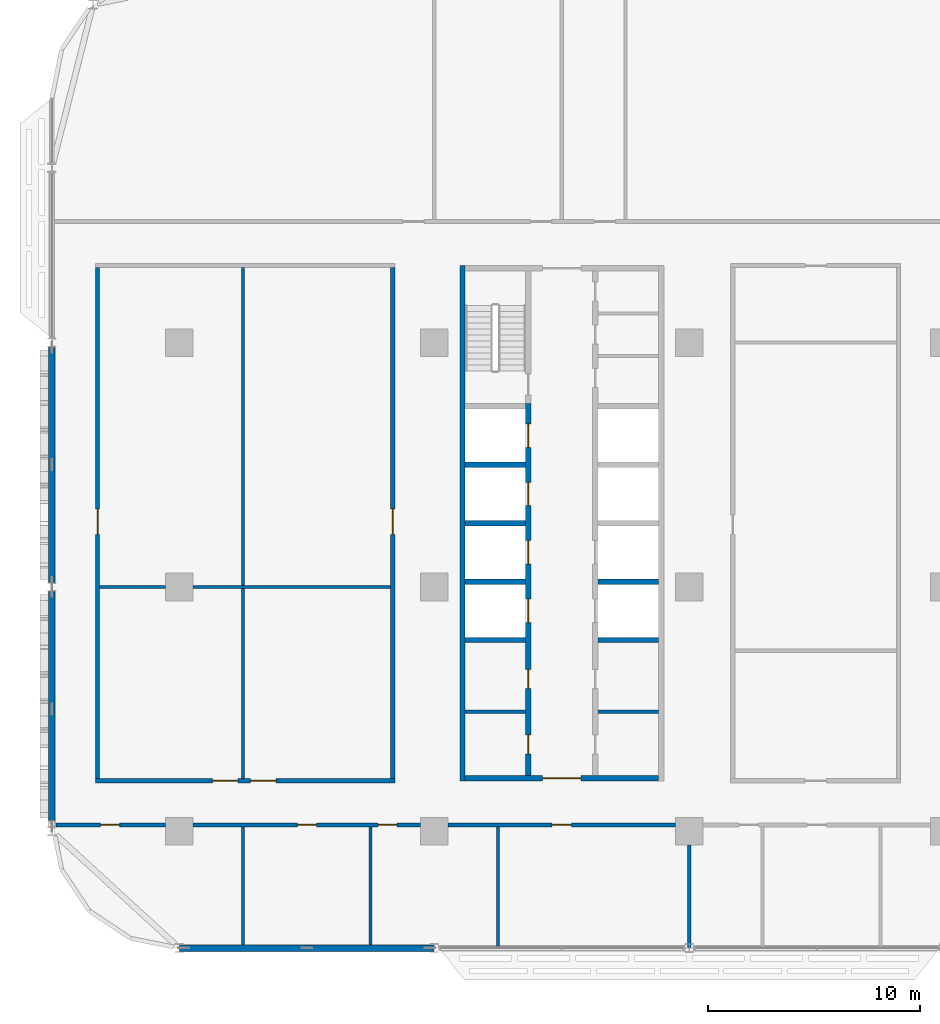
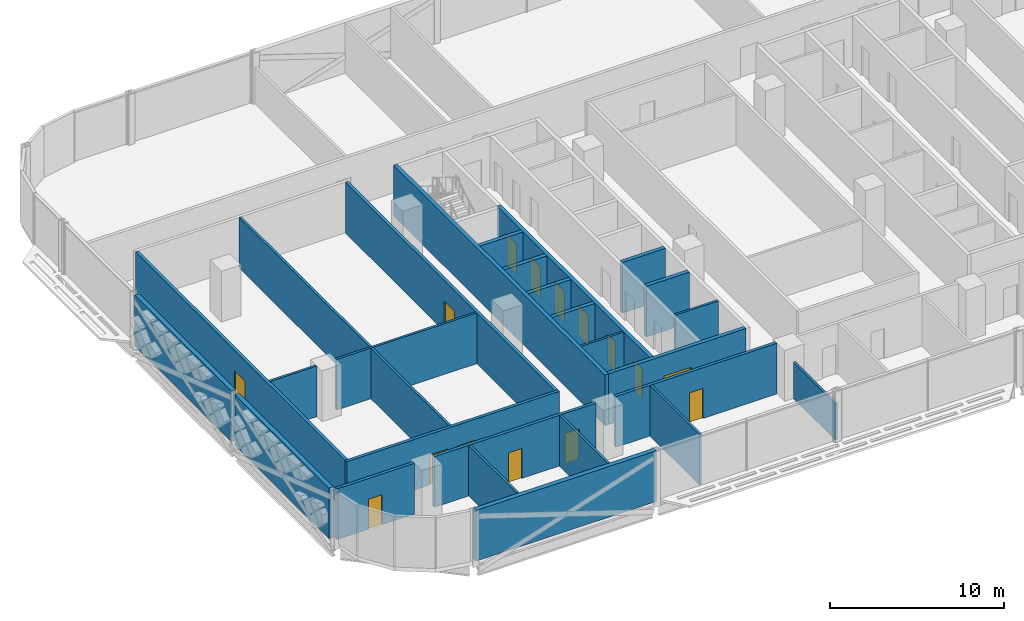
# One storey, part 13 of 29: 27 walls, 15 doors, 15 openings.
"""IFC4 building model written with IfcOpenShell, lengths in metres."""

from ifc_helpers import new_model, si_unit, direction, frame, frame_2d, origin, place, context, subcontext, project, spatial, rectangle, extrude, material, layer, layer_set, type_object, element, fill, save


model = new_model("IFC4")

# Units and contexts
model_context = context("Model", 3, precision=1e-05, world=origin(), true_north=direction((0.0, 1.0)))
body_context = subcontext(model_context, "Body", "Model", "MODEL_VIEW")
ifc_project = project(units=[si_unit("LENGTHUNIT", "METRE"), si_unit("AREAUNIT", "SQUARE_METRE"), si_unit("VOLUMEUNIT", "CUBIC_METRE"), si_unit("PLANEANGLEUNIT", "RADIAN"), si_unit("MASSUNIT", "GRAM", prefix="KILO")], contexts=[model_context])

# Site, building, storey
site_placement = place(None, origin())
site = spatial("IfcSite", under=ifc_project, at=site_placement, CompositionType="ELEMENT")
building_placement = place(site_placement, origin())
building = spatial("IfcBuilding", under=site, at=building_placement, Name="Mahtab Terrace Research Tower", CompositionType="ELEMENT")
storey_placement = place(building_placement, frame((0.0, 0.0, 150.699951171875)))
storey = spatial("IfcBuildingStorey", under=building, at=storey_placement, Name="L35", CompositionType="ELEMENT", Elevation=150.699951171875)

# Walls
ifc_material_1 = material(Name="Gypsum board partition")
ifc_layer_1 = layer(ifc_material_1, 0.14990234375)
ifc_layer_set_1 = layer_set([ifc_layer_1], Name="Core partition 150")
wall_type_1 = type_object("IfcWallType", Name="Core partition 150", PredefinedType="PARTITIONING", material=ifc_layer_set_1)
for number, where, z_axis, x_axis, name in (
    (1, (-28.550048828125, -5.875, 0.0), (0.0, 0.0, 1.0), (1.0, 0.0, 0.0), "Core wall A pWS-888"),
    (2, (-22.300048828125, -5.875, 0.0), (0.0, 0.0, 1.0), (1.0, 0.0, 0.0), "Core wall A pES-888"),
):
    element("IfcWall", number, at=place(storey_placement, frame(where, z_axis=z_axis, x_axis=x_axis)), inside=storey, type_object=wall_type_1, Name=name, PredefinedType="PARTITIONING", context=body_context, shape_type="SweptSolid", body=[
        extrude(rectangle(XDim=2.85009765625, YDim=0.14990234375, at=frame_2d((1.425048828125, 0.0))), origin(), (0.0, 0.0, 1.0), 3.550048828125),
    ])
ifc_material_2 = material(Name="Concrete C70/85", Category="concrete")
ifc_layer_2 = layer(ifc_material_2, 0.25)
ifc_layer_set_2 = layer_set([ifc_layer_2], Name="Core wall 250")
wall_type_2 = type_object("IfcWallType", Name="Core wall 250", PredefinedType="SOLIDWALL", material=ifc_layer_set_2)
wall_1_placement = place(storey_placement, frame((-28.675048828125, 15.125, 0.0), z_axis=(0.0, 0.0, 1.0), x_axis=(0.0, -1.0, 0.0)))
element("IfcWall", 3, at=wall_1_placement, inside=storey, type_object=wall_type_2, Name="Core wall A outerW", PredefinedType="SOLIDWALL", context=body_context, shape_type="SweptSolid", body=[
    extrude(rectangle(XDim=24.25, YDim=0.25, at=frame_2d((12.125, 0.0))), origin(), (0.0, 0.0, 1.0), 3.550048828125),
])

# Wall, opening, door
wall_2_placement = place(storey_placement, frame((-19.449951171875, -9.0, 0.0), z_axis=(0.0, 0.0, 1.0), x_axis=(-1.0, 0.0, 0.0)))
wall_2 = element("IfcWall", 4, at=wall_2_placement, inside=storey, type_object=wall_type_2, Name="Core wall A endS", PredefinedType="SOLIDWALL", context=body_context, shape_type="SweptSolid", body=[
    extrude(rectangle(XDim=9.10009765625, YDim=0.25, at=frame_2d((4.550048828125, 0.0))), origin(), (0.0, 0.0, 1.0), 3.550048828125),
])
opening_1_placement = place(wall_2_placement, frame((3.64990234375, 0.0, 0.0)))
opening_1 = element("IfcOpeningElement", 5, at=opening_1_placement, cuts=wall_2, Name="Opening A-S1", PredefinedType="OPENING", context=body_context, shape_type="SweptSolid", body=[
    extrude(rectangle(XDim=1.800048828125, YDim=2.10009765625, at=frame_2d((0.89990234375, 1.050048828125))), frame((0.0, 0.135009765625, 0.0), z_axis=(0.0, -1.0, 0.0), x_axis=(1.0, 0.0, 0.0)), (0.0, 0.0, 1.0), 0.27001953125),
])
ifc_material_3 = material(Name="Steel fire door", Category="steel")
door_type_1 = type_object("IfcDoorType", Name="Lobby double door 1800x2100 1 HR", OperationType="DOUBLE_DOOR_SINGLE_SWING", PredefinedType="DOOR", material=ifc_material_3)
door_1_placement = place(opening_1_placement, origin())
door_1 = element("IfcDoor", 6, at=door_1_placement, inside=storey, type_object=door_type_1, Name="Core entrance door A S", OperationType="DOUBLE_DOOR_SINGLE_SWING", OverallHeight=2.10009765625, OverallWidth=1.800048828125, PredefinedType="DOOR", context=body_context, shape_type="SweptSolid", body=[
    extrude(rectangle(XDim=1.800048828125, YDim=2.10009765625, at=frame_2d((0.89990234375, 1.050048828125))), frame((0.0, 0.02490234375, 0.0), z_axis=(0.0, -1.0, 0.0), x_axis=(1.0, 0.0, 0.0)), (0.0, 0.0, 1.0), 0.050048828125),
])
fill(opening_1, door_1)

# Wall, openings, doors
wall_3_placement = place(storey_placement, frame((-25.574951171875, -8.875, 0.0), z_axis=(0.0, 0.0, 1.0), x_axis=(0.0, 1.0, 0.0)))
wall_3 = element("IfcWall", 7, at=wall_3_placement, inside=storey, type_object=wall_type_2, Name="Core wall A innerWSL", PredefinedType="SOLIDWALL", context=body_context, shape_type="SweptSolid", body=[
    extrude(rectangle(XDim=17.5, YDim=0.25, at=frame_2d((8.75, 0.0))), origin(), (0.0, 0.0, 1.0), 3.550048828125),
])
opening_2_placement = place(wall_3_placement, frame((7.199951171875, 0.0, 0.0)))
opening_2 = element("IfcOpeningElement", 8, at=opening_2_placement, cuts=wall_3, Name="Opening LD01-L35", PredefinedType="OPENING", context=body_context, shape_type="SweptSolid", body=[
    extrude(rectangle(XDim=1.10009765625, YDim=2.10009765625, at=frame_2d((0.550048828125, 1.050048828125))), frame((0.0, 0.135009765625, 0.0), z_axis=(0.0, -1.0, 0.0), x_axis=(1.0, 0.0, 0.0)), (0.0, 0.0, 1.0), 0.27001953125),
])
opening_3_placement = place(wall_3_placement, frame((9.949951171875, 0.0, 0.0)))
opening_3 = element("IfcOpeningElement", 9, at=opening_3_placement, cuts=wall_3, Name="Opening LD02-L35", PredefinedType="OPENING", context=body_context, shape_type="SweptSolid", body=[
    extrude(rectangle(XDim=1.10009765625, YDim=2.10009765625, at=frame_2d((0.550048828125, 1.050048828125))), frame((0.0, 0.135009765625, 0.0), z_axis=(0.0, -1.0, 0.0), x_axis=(1.0, 0.0, 0.0)), (0.0, 0.0, 1.0), 0.27001953125),
])
opening_4_placement = place(wall_3_placement, frame((12.699951171875, 0.0, 0.0)))
opening_4 = element("IfcOpeningElement", 10, at=opening_4_placement, cuts=wall_3, Name="Opening LD03-L35", PredefinedType="OPENING", context=body_context, shape_type="SweptSolid", body=[
    extrude(rectangle(XDim=1.10009765625, YDim=2.10009765625, at=frame_2d((0.550048828125, 1.050048828125))), frame((0.0, 0.135009765625, 0.0), z_axis=(0.0, -1.0, 0.0), x_axis=(1.0, 0.0, 0.0)), (0.0, 0.0, 1.0), 0.27001953125),
])
opening_5_placement = place(wall_3_placement, frame((15.449951171875, 0.0, 0.0)))
opening_5 = element("IfcOpeningElement", 11, at=opening_5_placement, cuts=wall_3, Name="Opening LD04-L35", PredefinedType="OPENING", context=body_context, shape_type="SweptSolid", body=[
    extrude(rectangle(XDim=1.10009765625, YDim=2.10009765625, at=frame_2d((0.550048828125, 1.050048828125))), frame((0.0, 0.135009765625, 0.0), z_axis=(0.0, -1.0, 0.0), x_axis=(1.0, 0.0, 0.0)), (0.0, 0.0, 1.0), 0.27001953125),
])
opening_6_placement = place(wall_3_placement, frame((1.012451171875, 0.0, 0.0)))
opening_6 = element("IfcOpeningElement", 12, at=opening_6_placement, cuts=wall_3, Name="Opening A-R1", PredefinedType="OPENING", context=body_context, shape_type="SweptSolid", body=[
    extrude(rectangle(XDim=0.89990234375, YDim=2.10009765625, at=frame_2d((0.449951171875, 1.050048828125))), frame((0.0, 0.135009765625, 0.0), z_axis=(0.0, -1.0, 0.0), x_axis=(1.0, 0.0, 0.0)), (0.0, 0.0, 1.0), 0.27001953125),
])
opening_7_placement = place(wall_3_placement, frame((4.08740234375, 0.0, 0.0)))
opening_7 = element("IfcOpeningElement", 13, at=opening_7_placement, cuts=wall_3, Name="Opening A-R2", PredefinedType="OPENING", context=body_context, shape_type="SweptSolid", body=[
    extrude(rectangle(XDim=0.89990234375, YDim=2.10009765625, at=frame_2d((0.449951171875, 1.050048828125))), frame((0.0, 0.135009765625, 0.0), z_axis=(0.0, -1.0, 0.0), x_axis=(1.0, 0.0, 0.0)), (0.0, 0.0, 1.0), 0.27001953125),
])
ifc_material_4 = material(Name="Stainless steel AISI 304", Category="steel")
door_type_2 = type_object("IfcDoorType", Name="Landing door 1100x2100", OperationType="DOUBLE_DOOR_SLIDING", PredefinedType="DOOR", material=ifc_material_4)
door_2_placement = place(opening_2_placement, origin())
door_2 = element("IfcDoor", 14, at=door_2_placement, inside=storey, type_object=door_type_2, Name="Landing door LR1 L35", OperationType="DOUBLE_DOOR_SLIDING", OverallHeight=2.10009765625, OverallWidth=1.10009765625, PredefinedType="DOOR", context=body_context, shape_type="SweptSolid", body=[
    extrude(rectangle(XDim=1.10009765625, YDim=2.10009765625, at=frame_2d((0.550048828125, 1.050048828125))), frame((0.0, 0.02490234375, 0.0), z_axis=(0.0, -1.0, 0.0), x_axis=(1.0, 0.0, 0.0)), (0.0, 0.0, 1.0), 0.050048828125),
])
fill(opening_2, door_2)
door_3_placement = place(opening_3_placement, origin())
door_3 = element("IfcDoor", 15, at=door_3_placement, inside=storey, type_object=door_type_2, Name="Landing door LR2 L35", OperationType="DOUBLE_DOOR_SLIDING", OverallHeight=2.10009765625, OverallWidth=1.10009765625, PredefinedType="DOOR", context=body_context, shape_type="SweptSolid", body=[
    extrude(rectangle(XDim=1.10009765625, YDim=2.10009765625, at=frame_2d((0.550048828125, 1.050048828125))), frame((0.0, 0.02490234375, 0.0), z_axis=(0.0, -1.0, 0.0), x_axis=(1.0, 0.0, 0.0)), (0.0, 0.0, 1.0), 0.050048828125),
])
fill(opening_3, door_3)
door_4_placement = place(opening_4_placement, origin())
door_4 = element("IfcDoor", 16, at=door_4_placement, inside=storey, type_object=door_type_2, Name="Landing door LR3 L35", OperationType="DOUBLE_DOOR_SLIDING", OverallHeight=2.10009765625, OverallWidth=1.10009765625, PredefinedType="DOOR", context=body_context, shape_type="SweptSolid", body=[
    extrude(rectangle(XDim=1.10009765625, YDim=2.10009765625, at=frame_2d((0.550048828125, 1.050048828125))), frame((0.0, 0.02490234375, 0.0), z_axis=(0.0, -1.0, 0.0), x_axis=(1.0, 0.0, 0.0)), (0.0, 0.0, 1.0), 0.050048828125),
])
fill(opening_4, door_4)
door_5_placement = place(opening_5_placement, origin())
door_5 = element("IfcDoor", 17, at=door_5_placement, inside=storey, type_object=door_type_2, Name="Landing door LR4 L35", OperationType="DOUBLE_DOOR_SLIDING", OverallHeight=2.10009765625, OverallWidth=1.10009765625, PredefinedType="DOOR", context=body_context, shape_type="SweptSolid", body=[
    extrude(rectangle(XDim=1.10009765625, YDim=2.10009765625, at=frame_2d((0.550048828125, 1.050048828125))), frame((0.0, 0.02490234375, 0.0), z_axis=(0.0, -1.0, 0.0), x_axis=(1.0, 0.0, 0.0)), (0.0, 0.0, 1.0), 0.050048828125),
])
fill(opening_5, door_5)
door_type_3 = type_object("IfcDoorType", Name="Room door 900x2100 1 HR", OperationType="NOTDEFINED", PredefinedType="DOOR", material=ifc_material_3)
door_6_placement = place(opening_6_placement, origin())
door_6 = element("IfcDoor", 18, at=door_6_placement, inside=storey, type_object=door_type_3, Name="Staff WC door", OperationType="SINGLE_SWING_LEFT", OverallHeight=2.10009765625, OverallWidth=0.89990234375, PredefinedType="DOOR", context=body_context, shape_type="SweptSolid", body=[
    extrude(rectangle(XDim=0.89990234375, YDim=2.10009765625, at=frame_2d((0.449951171875, 1.050048828125))), frame((0.0, 0.02490234375, 0.0), z_axis=(0.0, -1.0, 0.0), x_axis=(1.0, 0.0, 0.0)), (0.0, 0.0, 1.0), 0.050048828125),
])
fill(opening_6, door_6)
door_7_placement = place(opening_7_placement, origin())
door_7 = element("IfcDoor", 19, at=door_7_placement, inside=storey, type_object=door_type_3, Name="Accessible WC door", OperationType="SINGLE_SWING_RIGHT", OverallHeight=2.10009765625, OverallWidth=0.89990234375, PredefinedType="DOOR", context=body_context, shape_type="SweptSolid", body=[
    extrude(rectangle(XDim=0.89990234375, YDim=2.10009765625, at=frame_2d((0.449951171875, 1.050048828125))), frame((0.0, 0.02490234375, 0.0), z_axis=(0.0, -1.0, 0.0), x_axis=(1.0, 0.0, 0.0)), (0.0, 0.0, 1.0), 0.050048828125),
])
fill(opening_7, door_7)

# Walls
for number, where, z_axis, x_axis, name in (
    (20, (-28.550048828125, -2.5, 0.0), (0.0, 0.0, 1.0), (1.0, 0.0, 0.0), "Core wall A divW0"),
    (21, (-28.550048828125, 0.25, 0.0), (0.0, 0.0, 1.0), (1.0, 0.0, 0.0), "Core wall A divW1"),
    (22, (-28.550048828125, 3.0, 0.0), (0.0, 0.0, 1.0), (1.0, 0.0, 0.0), "Core wall A divW2"),
    (23, (-28.550048828125, 5.75, 0.0), (0.0, 0.0, 1.0), (1.0, 0.0, 0.0), "Core wall A divW3"),
    (24, (-22.300048828125, -2.5, 0.0), (0.0, 0.0, 1.0), (1.0, 0.0, 0.0), "Core wall A divE0"),
    (25, (-22.300048828125, 0.25, 0.0), (0.0, 0.0, 1.0), (1.0, 0.0, 0.0), "Core wall A divE1"),
):
    element("IfcWall", number, at=place(storey_placement, frame(where, z_axis=z_axis, x_axis=x_axis)), inside=storey, type_object=wall_type_2, Name=name, PredefinedType="SOLIDWALL", context=body_context, shape_type="SweptSolid", body=[
        extrude(rectangle(XDim=2.85009765625, YDim=0.25, at=frame_2d((1.425048828125, 0.0))), origin(), (0.0, 0.0, 1.0), 3.550048828125),
    ])
ifc_material_5 = material(Name="Black aluminium cladding panel", Category="aluminium")
ifc_layer_3 = layer(ifc_material_5, 0.300048828125)
ifc_layer_set_3 = layer_set([ifc_layer_3], Name="Opaque facade wall 300")
wall_type_3 = type_object("IfcWallType", Name="Opaque facade wall 300", PredefinedType="NOTDEFINED", material=ifc_layer_set_3)
wall_4_placement = place(storey_placement, frame((-48.0, 11.281982421875, 0.0), z_axis=(0.0, 0.0, 1.0), x_axis=(0.0, -1.0, 0.0)))
element("IfcWall", 26, at=wall_4_placement, inside=storey, type_object=wall_type_3, Name="Opaque facade wall L35 W17", PredefinedType="NOTDEFINED", context=body_context, shape_type="SweptSolid", body=[
    extrude(rectangle(XDim=11.06396484375, YDim=0.300048828125, at=frame_2d((5.531982421875, 0.0))), origin(), (0.0, 0.0, 1.0), 3.550048828125),
])
wall_5_placement = place(storey_placement, frame((-48.0, -0.218017578125, 0.0), z_axis=(0.0, 0.0, 1.0), x_axis=(0.0, -1.0, 0.0)))
element("IfcWall", 27, at=wall_5_placement, inside=storey, type_object=wall_type_3, Name="Opaque facade wall L35 W18", PredefinedType="NOTDEFINED", context=body_context, shape_type="SweptSolid", body=[
    extrude(rectangle(XDim=10.781982421875, YDim=0.300048828125, at=frame_2d((5.39111328125, 0.0))), origin(), (0.0, 0.0, 1.0), 3.550048828125),
])
wall_6_placement = place(storey_placement, frame((-41.982177734375, -17.0, 0.0), z_axis=(0.0, 0.0, 1.0), x_axis=(1.0, 0.0, 0.0)))
element("IfcWall", 28, at=wall_6_placement, inside=storey, type_object=wall_type_3, Name="Opaque facade wall L35 S24", PredefinedType="NOTDEFINED", context=body_context, shape_type="SweptSolid", body=[
    extrude(rectangle(XDim=11.96435546875, YDim=0.300048828125, at=frame_2d((5.982177734375, 0.0))), origin(), (0.0, 0.0, 1.0), 3.550048828125),
])

# Wall, opening, door
ifc_material_6 = material(Name="Gypsum board corridor wall on steel studs", Category="steel")
ifc_layer_4 = layer(ifc_material_6, 0.199951171875)
ifc_layer_set_4 = layer_set([ifc_layer_4], Name="WALL CORRIDOR 200")
wall_type_4 = type_object("IfcWallType", Name="WALL CORRIDOR 200", PredefinedType="PARTITIONING", material=ifc_layer_set_4)
wall_7_placement = place(storey_placement, frame((-47.807373046875, -11.199951171875, 0.0), z_axis=(0.0, 0.0, 1.0), x_axis=(1.0, 0.0, 0.0)))
wall_7 = element("IfcWall", 29, at=wall_7_placement, inside=storey, type_object=wall_type_4, Name="L35-W001", PredefinedType="PARTITIONING", context=body_context, shape_type="SweptSolid", body=[
    extrude(rectangle(XDim=5.157470703125, YDim=0.199951171875, at=frame_2d((2.57861328125, 0.0))), origin(), (0.0, 0.0, 1.0), 3.550048828125),
])
opening_8_placement = place(wall_7_placement, frame((2.10009765625, 0.0, 0.0)))
opening_8 = element("IfcOpeningElement", 30, at=opening_8_placement, cuts=wall_7, Name="Opening L35-101", PredefinedType="OPENING", context=body_context, shape_type="SweptSolid", body=[
    extrude(rectangle(XDim=0.89990234375, YDim=2.10009765625, at=frame_2d((0.449951171875, 1.050048828125))), frame((0.0, 0.10986328125, 0.0), z_axis=(0.0, -1.0, 0.0), x_axis=(1.0, 0.0, 0.0)), (0.0, 0.0, 1.0), 0.219970703125),
])
ifc_material_7 = material(Name="Timber door leaf in steel frame", Category="steel")
door_type_4 = type_object("IfcDoorType", Name="DOOR 0900X2100 FD30S", OperationType="SINGLE_SWING_LEFT", PredefinedType="DOOR", material=ifc_material_7)
door_8_placement = place(opening_8_placement, origin())
door_8 = element("IfcDoor", 31, at=door_8_placement, inside=storey, type_object=door_type_4, Name="Door L35-101", OperationType="SINGLE_SWING_RIGHT", OverallHeight=2.10009765625, OverallWidth=0.89990234375, PredefinedType="DOOR", context=body_context, shape_type="SweptSolid", body=[
    extrude(rectangle(XDim=0.89990234375, YDim=2.10009765625, at=frame_2d((0.449951171875, 1.050048828125))), frame((0.0, 0.02490234375, 0.0), z_axis=(0.0, -1.0, 0.0), x_axis=(1.0, 0.0, 0.0)), (0.0, 0.0, 1.0), 0.050048828125),
])
fill(opening_8, door_8)

# Wall, openings, doors
wall_8_placement = place(storey_placement, frame((-41.35009765625, -11.199951171875, 0.0), z_axis=(0.0, 0.0, 1.0), x_axis=(1.0, 0.0, 0.0)))
wall_8 = element("IfcWall", 32, at=wall_8_placement, inside=storey, type_object=wall_type_4, Name="L35-W002", PredefinedType="PARTITIONING", context=body_context, shape_type="SweptSolid", body=[
    extrude(rectangle(XDim=10.7001953125, YDim=0.199951171875, at=frame_2d((5.35009765625, 0.0))), origin(), (0.0, 0.0, 1.0), 3.550048828125),
])
opening_9_placement = place(wall_8_placement, frame((4.89990234375, 0.0, 0.0)))
opening_9 = element("IfcOpeningElement", 33, at=opening_9_placement, cuts=wall_8, Name="Opening L35-102", PredefinedType="OPENING", context=body_context, shape_type="SweptSolid", body=[
    extrude(rectangle(XDim=0.89990234375, YDim=2.10009765625, at=frame_2d((0.449951171875, 1.050048828125))), frame((0.0, 0.10986328125, 0.0), z_axis=(0.0, -1.0, 0.0), x_axis=(1.0, 0.0, 0.0)), (0.0, 0.0, 1.0), 0.219970703125),
])
opening_10_placement = place(wall_8_placement, frame((8.699951171875, 0.0, 0.0)))
opening_10 = element("IfcOpeningElement", 34, at=opening_10_placement, cuts=wall_8, Name="Opening L35-103", PredefinedType="OPENING", context=body_context, shape_type="SweptSolid", body=[
    extrude(rectangle(XDim=0.89990234375, YDim=2.10009765625, at=frame_2d((0.449951171875, 1.050048828125))), frame((0.0, 0.10986328125, 0.0), z_axis=(0.0, -1.0, 0.0), x_axis=(1.0, 0.0, 0.0)), (0.0, 0.0, 1.0), 0.219970703125),
])
door_9_placement = place(opening_9_placement, origin())
door_9 = element("IfcDoor", 35, at=door_9_placement, inside=storey, type_object=door_type_4, Name="Door L35-102", OperationType="SINGLE_SWING_RIGHT", OverallHeight=2.10009765625, OverallWidth=0.89990234375, PredefinedType="DOOR", context=body_context, shape_type="SweptSolid", body=[
    extrude(rectangle(XDim=0.89990234375, YDim=2.10009765625, at=frame_2d((0.449951171875, 1.050048828125))), frame((0.0, 0.02490234375, 0.0), z_axis=(0.0, -1.0, 0.0), x_axis=(1.0, 0.0, 0.0)), (0.0, 0.0, 1.0), 0.050048828125),
])
fill(opening_9, door_9)
door_10_placement = place(opening_10_placement, origin())
door_10 = element("IfcDoor", 36, at=door_10_placement, inside=storey, type_object=door_type_4, Name="Door L35-103", OperationType="SINGLE_SWING_LEFT", OverallHeight=2.10009765625, OverallWidth=0.89990234375, PredefinedType="DOOR", context=body_context, shape_type="SweptSolid", body=[
    extrude(rectangle(XDim=0.89990234375, YDim=2.10009765625, at=frame_2d((0.449951171875, 1.050048828125))), frame((0.0, 0.02490234375, 0.0), z_axis=(0.0, -1.0, 0.0), x_axis=(1.0, 0.0, 0.0)), (0.0, 0.0, 1.0), 0.050048828125),
])
fill(opening_10, door_10)

# Wall, opening, door
wall_9_placement = place(storey_placement, frame((-29.35009765625, -11.199951171875, 0.0), z_axis=(0.0, 0.0, 1.0), x_axis=(1.0, 0.0, 0.0)))
wall_9 = element("IfcWall", 37, at=wall_9_placement, inside=storey, type_object=wall_type_4, Name="L35-W003", PredefinedType="PARTITIONING", context=body_context, shape_type="SweptSolid", body=[
    extrude(rectangle(XDim=10.7001953125, YDim=0.199951171875, at=frame_2d((5.35009765625, 0.0))), origin(), (0.0, 0.0, 1.0), 3.550048828125),
])
opening_11_placement = place(wall_9_placement, frame((4.89990234375, 0.0, 0.0)))
opening_11 = element("IfcOpeningElement", 38, at=opening_11_placement, cuts=wall_9, Name="Opening L35-104", PredefinedType="OPENING", context=body_context, shape_type="SweptSolid", body=[
    extrude(rectangle(XDim=0.89990234375, YDim=2.10009765625, at=frame_2d((0.449951171875, 1.050048828125))), frame((0.0, 0.10986328125, 0.0), z_axis=(0.0, -1.0, 0.0), x_axis=(1.0, 0.0, 0.0)), (0.0, 0.0, 1.0), 0.219970703125),
])
door_11_placement = place(opening_11_placement, origin())
door_11 = element("IfcDoor", 39, at=door_11_placement, inside=storey, type_object=door_type_4, Name="Door L35-104", OperationType="SINGLE_SWING_RIGHT", OverallHeight=2.10009765625, OverallWidth=0.89990234375, PredefinedType="DOOR", context=body_context, shape_type="SweptSolid", body=[
    extrude(rectangle(XDim=0.89990234375, YDim=2.10009765625, at=frame_2d((0.449951171875, 1.050048828125))), frame((0.0, 0.02490234375, 0.0), z_axis=(0.0, -1.0, 0.0), x_axis=(1.0, 0.0, 0.0)), (0.0, 0.0, 1.0), 0.050048828125),
])
fill(opening_11, door_11)

# Wall, openings, doors
wall_10_placement = place(storey_placement, frame((-45.949951171875, -9.125, 0.0), z_axis=(0.0, 0.0, 1.0), x_axis=(1.0, 0.0, 0.0)))
wall_10 = element("IfcWall", 40, at=wall_10_placement, inside=storey, type_object=wall_type_4, Name="L35-W010", PredefinedType="PARTITIONING", context=body_context, shape_type="SweptSolid", body=[
    extrude(rectangle(XDim=14.099853515625, YDim=0.199951171875, at=frame_2d((7.0498046875, 0.0))), origin(), (0.0, 0.0, 1.0), 3.550048828125),
])
opening_12_placement = place(wall_10_placement, frame((5.5, 0.0, 0.0)))
opening_12 = element("IfcOpeningElement", 41, at=opening_12_placement, cuts=wall_10, Name="Opening L35-119", PredefinedType="OPENING", context=body_context, shape_type="SweptSolid", body=[
    extrude(rectangle(XDim=1.199951171875, YDim=2.10009765625, at=frame_2d((0.60009765625, 1.050048828125))), frame((0.0, 0.10986328125, 0.0), z_axis=(0.0, -1.0, 0.0), x_axis=(1.0, 0.0, 0.0)), (0.0, 0.0, 1.0), 0.219970703125),
])
opening_13_placement = place(wall_10_placement, frame((7.300048828125, 0.0, 0.0)))
opening_13 = element("IfcOpeningElement", 42, at=opening_13_placement, cuts=wall_10, Name="Opening L35-120", PredefinedType="OPENING", context=body_context, shape_type="SweptSolid", body=[
    extrude(rectangle(XDim=1.199951171875, YDim=2.10009765625, at=frame_2d((0.60009765625, 1.050048828125))), frame((0.0, 0.10986328125, 0.0), z_axis=(0.0, -1.0, 0.0), x_axis=(1.0, 0.0, 0.0)), (0.0, 0.0, 1.0), 0.219970703125),
])
door_type_5 = type_object("IfcDoorType", Name="DOOR 1200X2100 FD30S", OperationType="SINGLE_SWING_LEFT", PredefinedType="DOOR", material=ifc_material_7)
door_12_placement = place(opening_12_placement, origin())
door_12 = element("IfcDoor", 43, at=door_12_placement, inside=storey, type_object=door_type_5, Name="Door L35-119", OperationType="SINGLE_SWING_LEFT", OverallHeight=2.10009765625, OverallWidth=1.199951171875, PredefinedType="DOOR", context=body_context, shape_type="SweptSolid", body=[
    extrude(rectangle(XDim=1.199951171875, YDim=2.10009765625, at=frame_2d((0.60009765625, 1.050048828125))), frame((0.0, 0.02490234375, 0.0), z_axis=(0.0, -1.0, 0.0), x_axis=(1.0, 0.0, 0.0)), (0.0, 0.0, 1.0), 0.050048828125),
])
fill(opening_12, door_12)
door_13_placement = place(opening_13_placement, origin())
door_13 = element("IfcDoor", 44, at=door_13_placement, inside=storey, type_object=door_type_5, Name="Door L35-120", OperationType="SINGLE_SWING_RIGHT", OverallHeight=2.10009765625, OverallWidth=1.199951171875, PredefinedType="DOOR", context=body_context, shape_type="SweptSolid", body=[
    extrude(rectangle(XDim=1.199951171875, YDim=2.10009765625, at=frame_2d((0.60009765625, 1.050048828125))), frame((0.0, 0.02490234375, 0.0), z_axis=(0.0, -1.0, 0.0), x_axis=(1.0, 0.0, 0.0)), (0.0, 0.0, 1.0), 0.050048828125),
])
fill(opening_13, door_13)

# Wall, opening, door
wall_11_placement = place(storey_placement, frame((-45.85009765625, -9.02490234375, 0.0), z_axis=(0.0, 0.0, 1.0), x_axis=(0.0, 1.0, 0.0)))
wall_11 = element("IfcWall", 45, at=wall_11_placement, inside=storey, type_object=wall_type_4, Name="L35-W027", PredefinedType="PARTITIONING", context=body_context, shape_type="SweptSolid", body=[
    extrude(rectangle(XDim=24.0498046875, YDim=0.199951171875, at=frame_2d((12.02490234375, 0.0))), origin(), (0.0, 0.0, 1.0), 3.550048828125),
])
opening_14_placement = place(wall_11_placement, frame((11.5, 0.0, 0.0)))
opening_14 = element("IfcOpeningElement", 46, at=opening_14_placement, cuts=wall_11, Name="Opening L35-125", PredefinedType="OPENING", context=body_context, shape_type="SweptSolid", body=[
    extrude(rectangle(XDim=1.199951171875, YDim=2.10009765625, at=frame_2d((0.60009765625, 1.050048828125))), frame((0.0, 0.10986328125, 0.0), z_axis=(0.0, -1.0, 0.0), x_axis=(1.0, 0.0, 0.0)), (0.0, 0.0, 1.0), 0.219970703125),
])
door_14_placement = place(opening_14_placement, origin())
door_14 = element("IfcDoor", 47, at=door_14_placement, inside=storey, type_object=door_type_5, Name="Door L35-125", OperationType="SINGLE_SWING_LEFT", OverallHeight=2.10009765625, OverallWidth=1.199951171875, PredefinedType="DOOR", context=body_context, shape_type="SweptSolid", body=[
    extrude(rectangle(XDim=1.199951171875, YDim=2.10009765625, at=frame_2d((0.60009765625, 1.050048828125))), frame((0.0, 0.02490234375, 0.0), z_axis=(0.0, -1.0, 0.0), x_axis=(1.0, 0.0, 0.0)), (0.0, 0.0, 1.0), 0.050048828125),
])
fill(opening_14, door_14)

wall_12_placement = place(storey_placement, frame((-31.949951171875, -9.02490234375, 0.0), z_axis=(0.0, 0.0, 1.0), x_axis=(0.0, 1.0, 0.0)))
wall_12 = element("IfcWall", 48, at=wall_12_placement, inside=storey, type_object=wall_type_4, Name="L35-W031", PredefinedType="PARTITIONING", context=body_context, shape_type="SweptSolid", body=[
    extrude(rectangle(XDim=24.0498046875, YDim=0.199951171875, at=frame_2d((12.02490234375, 0.0))), origin(), (0.0, 0.0, 1.0), 3.550048828125),
])
opening_15_placement = place(wall_12_placement, frame((11.5, 0.0, 0.0)))
opening_15 = element("IfcOpeningElement", 49, at=opening_15_placement, cuts=wall_12, Name="Opening L35-126", PredefinedType="OPENING", context=body_context, shape_type="SweptSolid", body=[
    extrude(rectangle(XDim=1.199951171875, YDim=2.10009765625, at=frame_2d((0.60009765625, 1.050048828125))), frame((0.0, 0.10986328125, 0.0), z_axis=(0.0, -1.0, 0.0), x_axis=(1.0, 0.0, 0.0)), (0.0, 0.0, 1.0), 0.219970703125),
])
door_15_placement = place(opening_15_placement, origin())
door_15 = element("IfcDoor", 50, at=door_15_placement, inside=storey, type_object=door_type_5, Name="Door L35-126", OperationType="SINGLE_SWING_RIGHT", OverallHeight=2.10009765625, OverallWidth=1.199951171875, PredefinedType="DOOR", context=body_context, shape_type="SweptSolid", body=[
    extrude(rectangle(XDim=1.199951171875, YDim=2.10009765625, at=frame_2d((0.60009765625, 1.050048828125))), frame((0.0, 0.02490234375, 0.0), z_axis=(0.0, -1.0, 0.0), x_axis=(1.0, 0.0, 0.0)), (0.0, 0.0, 1.0), 0.050048828125),
])
fill(opening_15, door_15)

# Walls
ifc_material_8 = material(Name="Gypsum board partition on steel studs", Category="steel")
ifc_layer_5 = layer(ifc_material_8, 0.14990234375)
ifc_layer_set_5 = layer_set([ifc_layer_5], Name="WALL PARTITION 150")
wall_type_5 = type_object("IfcWallType", Name="WALL PARTITION 150", PredefinedType="PARTITIONING", material=ifc_layer_set_5)
wall_13_placement = place(storey_placement, frame((-45.75, 0.0, 0.0), z_axis=(0.0, 0.0, 1.0), x_axis=(1.0, 0.0, 0.0)))
element("IfcWall", 51, at=wall_13_placement, inside=storey, type_object=wall_type_5, Name="L35-W016", PredefinedType="PARTITIONING", context=body_context, shape_type="SweptSolid", body=[
    extrude(rectangle(XDim=3.10009765625, YDim=0.14990234375, at=frame_2d((1.550048828125, 0.0))), origin(), (0.0, 0.0, 1.0), 3.550048828125),
])
wall_14_placement = place(storey_placement, frame((-41.35009765625, 0.0, 0.0), z_axis=(0.0, 0.0, 1.0), x_axis=(1.0, 0.0, 0.0)))
element("IfcWall", 52, at=wall_14_placement, inside=storey, type_object=wall_type_5, Name="L35-W017", PredefinedType="PARTITIONING", context=body_context, shape_type="SweptSolid", body=[
    extrude(rectangle(XDim=9.300048828125, YDim=0.14990234375, at=frame_2d((4.64990234375, 0.0))), origin(), (0.0, 0.0, 1.0), 3.550048828125),
])
wall_15_placement = place(storey_placement, frame((-39.0, -16.85009765625, 0.0), z_axis=(0.0, 0.0, 1.0), x_axis=(0.0, 1.0, 0.0)))
element("IfcWall", 53, at=wall_15_placement, inside=storey, type_object=wall_type_5, Name="L35-W028", PredefinedType="PARTITIONING", context=body_context, shape_type="SweptSolid", body=[
    extrude(rectangle(XDim=5.550048828125, YDim=0.14990234375, at=frame_2d((2.77490234375, 0.0))), origin(), (0.0, 0.0, 1.0), 3.550048828125),
])
wall_16_placement = place(storey_placement, frame((-39.0, -9.02490234375, 0.0), z_axis=(0.0, 0.0, 1.0), x_axis=(0.0, 1.0, 0.0)))
element("IfcWall", 54, at=wall_16_placement, inside=storey, type_object=wall_type_5, Name="L35-W029", PredefinedType="PARTITIONING", context=body_context, shape_type="SweptSolid", body=[
    extrude(rectangle(XDim=24.0498046875, YDim=0.14990234375, at=frame_2d((12.02490234375, 0.0))), origin(), (0.0, 0.0, 1.0), 3.550048828125),
])
wall_17_placement = place(storey_placement, frame((-33.0, -16.85009765625, 0.0), z_axis=(0.0, 0.0, 1.0), x_axis=(0.0, 1.0, 0.0)))
element("IfcWall", 55, at=wall_17_placement, inside=storey, type_object=wall_type_5, Name="L35-W030", PredefinedType="PARTITIONING", context=body_context, shape_type="SweptSolid", body=[
    extrude(rectangle(XDim=5.550048828125, YDim=0.14990234375, at=frame_2d((2.77490234375, 0.0))), origin(), (0.0, 0.0, 1.0), 3.550048828125),
])
wall_18_placement = place(storey_placement, frame((-27.0, -16.97509765625, 0.0), z_axis=(0.0, 0.0, 1.0), x_axis=(0.0, 1.0, 0.0)))
element("IfcWall", 56, at=wall_18_placement, inside=storey, type_object=wall_type_5, Name="L35-W033", PredefinedType="PARTITIONING", context=body_context, shape_type="SweptSolid", body=[
    extrude(rectangle(XDim=5.675048828125, YDim=0.14990234375, at=frame_2d((2.83740234375, 0.0))), origin(), (0.0, 0.0, 1.0), 3.550048828125),
])
wall_19_placement = place(storey_placement, frame((-18.0, -16.97509765625, 0.0), z_axis=(0.0, 0.0, 1.0), x_axis=(0.0, 1.0, 0.0)))
element("IfcWall", 57, at=wall_19_placement, inside=storey, type_object=wall_type_5, Name="L35-W036", PredefinedType="PARTITIONING", context=body_context, shape_type="SweptSolid", body=[
    extrude(rectangle(XDim=4.8251953125, YDim=0.14990234375, at=frame_2d((2.41259765625, 0.0))), origin(), (0.0, 0.0, 1.0), 2.55126953125),
])

save(model, "model.ifc")
